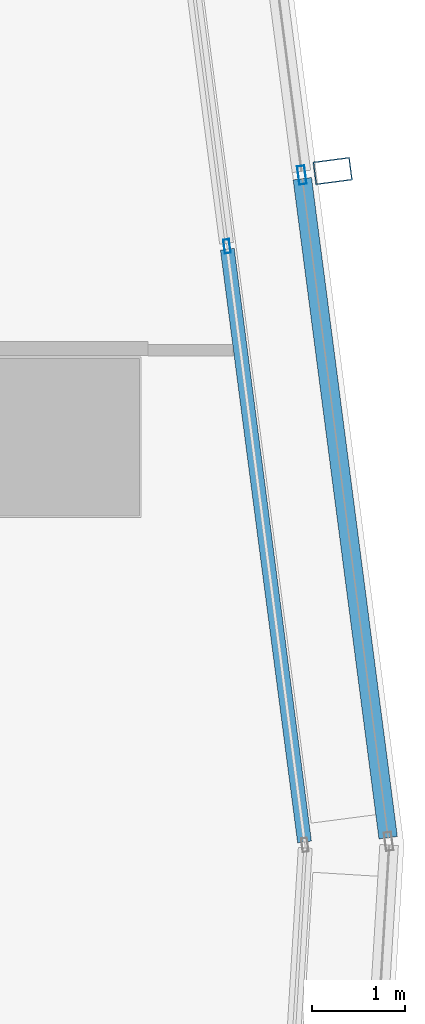
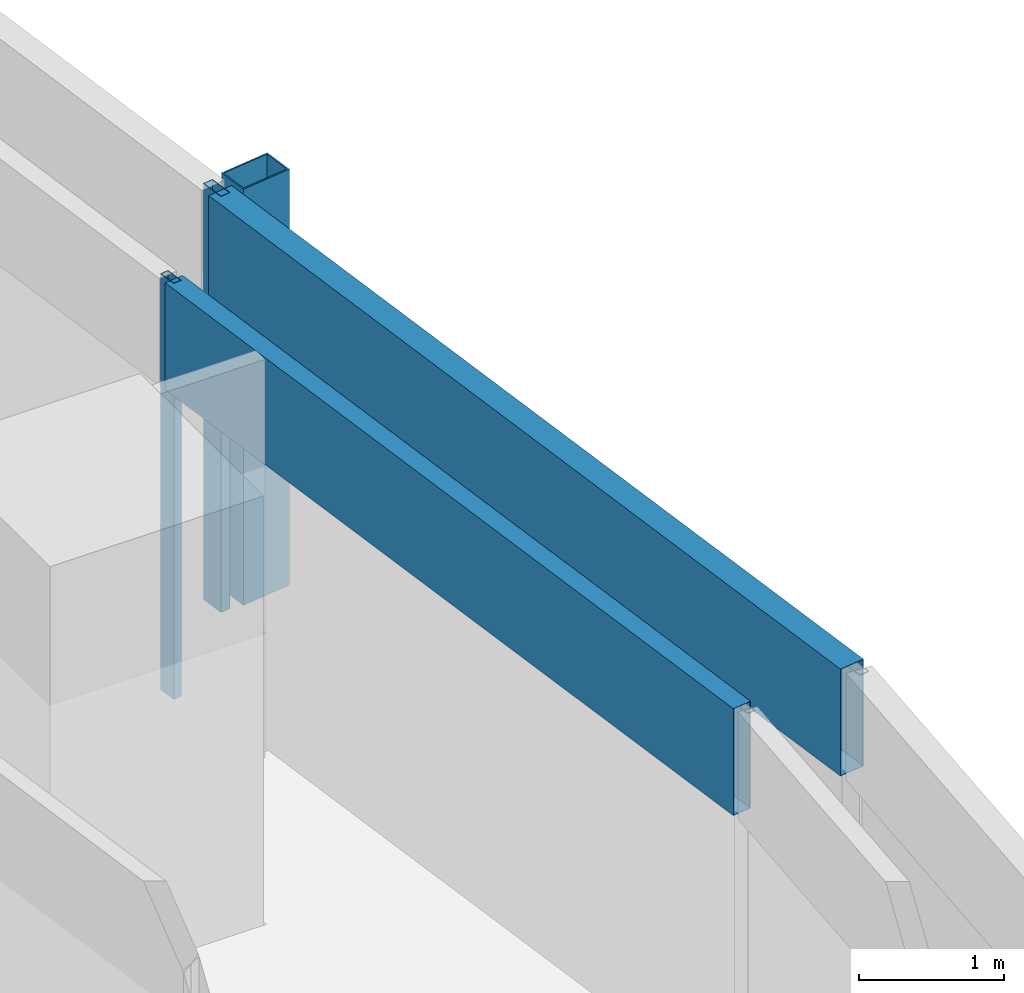
# One storey, part 26 of 40: 5 members, 2 elements without a shape of their own.
"""IFC4 building model written with IfcOpenShell, lengths in metres."""

from ifc_helpers import new_model, si_unit, direction, frame, origin, origin_2d, place, context, subcontext, project, spatial, hollow_rectangle, extrude, material, material_profile, profile_set, type_object, element, aggregate, save


model = new_model("IFC4")

# Units and contexts
model_context = context("Model", 3, precision=1e-05, world=origin(), true_north=direction((0.0, 1.0)))
body_context = subcontext(model_context, "Body", "Model", "MODEL_VIEW")
ifc_project = project(units=[si_unit("LENGTHUNIT", "METRE"), si_unit("AREAUNIT", "SQUARE_METRE"), si_unit("VOLUMEUNIT", "CUBIC_METRE"), si_unit("PLANEANGLEUNIT", "RADIAN"), si_unit("MASSUNIT", "GRAM", prefix="KILO")], contexts=[model_context])

# Site, building, storey
site_placement = place(None, origin())
site = spatial("IfcSite", under=ifc_project, at=site_placement, CompositionType="ELEMENT")
building_placement = place(site_placement, origin())
building = spatial("IfcBuilding", under=site, at=building_placement, Name="Rekha Terrace Tower", CompositionType="ELEMENT")
storey_placement = place(building_placement, frame((0.0, 0.0, 106.550048828125)))
storey = spatial("IfcBuildingStorey", under=building, at=storey_placement, Name="L26", CompositionType="ELEMENT", Elevation=106.550048828125)

# Curtain wall, member
ifc_material_1 = material(Name="Aluminium framing", Category="aluminium")
curtain_wall_type_1 = type_object("IfcCurtainWallType", Name="CW2 double skin outer glazing", PredefinedType="USERDEFINED", material=ifc_material_1)
curtain_wall_1_placement = place(storey_placement, origin())
curtain_wall_1 = element("IfcCurtainWall", 1, at=curtain_wall_1_placement, inside=storey, type_object=curtain_wall_type_1, Name="CW2 double skin outer glazing", ObjectType="DOUBLE SKIN OUTER GLAZING", PredefinedType="USERDEFINED")
ifc_material_2 = material(Name="Steel S355 with fluorocarbon finish", Category="steel")
ifc_material_profile_1 = material_profile(ifc_material_2, hollow_rectangle(XDim=0.25, YDim=0.39990234375, WallThickness=0.012451171875, at=origin_2d()), Name="RHS400x250x12.5")
ifc_profile_set_1 = profile_set([ifc_material_profile_1], Name="Steel S355 with fluorocarbon finish")
member_type_1 = type_object("IfcMemberType", Name="BL1 facade blade RHS 400 x 250", PredefinedType="USERDEFINED", material=ifc_profile_set_1)
member_1_placement = place(storey_placement, frame((70.131103515625, 53.2685546875, 0.0), z_axis=(0.0, 0.0, 1.0), x_axis=(-0.129119247945, 0.991629073702, 0.0)))
member_1 = element("IfcMember", 2, at=member_1_placement, type_object=member_type_1, Name="Facade blade", ObjectType="FACADE BLADE", PredefinedType="USERDEFINED", context=body_context, shape_type="SweptSolid", body=[
    extrude(hollow_rectangle(XDim=0.25, YDim=0.39990234375, WallThickness=0.012451171875, at=origin_2d()), origin(), (0.0, 0.0, 1.0), 3.5),
])

# Curtain wall, members
curtain_wall_type_2 = type_object("IfcCurtainWallType", Name="CW1 double skin inner glazing", PredefinedType="USERDEFINED", material=ifc_material_1)
curtain_wall_2_placement = place(storey_placement, origin())
curtain_wall_2 = element("IfcCurtainWall", 3, at=curtain_wall_2_placement, inside=storey, type_object=curtain_wall_type_2, Name="CW1 double skin inner glazing", ObjectType="DOUBLE SKIN INNER GLAZING", PredefinedType="USERDEFINED")
ifc_material_3 = material(Name="Aluminium mullion section", Category="aluminium")
ifc_material_profile_2 = material_profile(ifc_material_3, hollow_rectangle(XDim=0.06494140625, YDim=0.14990234375, WallThickness=0.00390625, at=origin_2d()), Name="AL RHS 65x150")
ifc_profile_set_2 = profile_set([ifc_material_profile_2], Name="Aluminium mullion section")
member_type_2 = type_object("IfcMemberType", Name="CW1 mullion RHS 65 x 150", PredefinedType="MULLION", material=ifc_profile_set_2)
member_2_placement = place(storey_placement, frame((68.9912109375, 52.45751953125, 0.0), z_axis=(0.0, 0.0, 1.0), x_axis=(-0.991629186237, -0.129118383675, 0.0)))
member_2 = element("IfcMember", 4, at=member_2_placement, type_object=member_type_2, Name="CW1 mullion 2", PredefinedType="MULLION", context=body_context, shape_type="SweptSolid", body=[
    extrude(hollow_rectangle(XDim=0.06494140625, YDim=0.14990234375, WallThickness=0.00390625, at=origin_2d()), origin(), (0.0, 0.0, 1.0), 3.5),
])
ifc_material_4 = material(Name="Insulated aluminium spandrel box", Category="aluminium")
ifc_material_profile_3 = material_profile(ifc_material_4, hollow_rectangle(XDim=0.14990234375, YDim=0.89990234375, WallThickness=0.0029296875, at=origin_2d()), Name="AL SPANDREL BOX 150x900")
ifc_profile_set_3 = profile_set([ifc_material_profile_3], Name="Insulated aluminium spandrel box")
member_type_3 = type_object("IfcMemberType", Name="CW1 spandrel transom 150 x 900", PredefinedType="USERDEFINED", material=ifc_profile_set_3)
member_3_placement = place(storey_placement, frame((69.827392578125, 46.0361328125, 3.050048828125), z_axis=(-0.129135072997, 0.991627013005, 0.0), x_axis=(-0.991627013005, -0.129135072997, 0.0)))
member_3 = element("IfcMember", 5, at=member_3_placement, type_object=member_type_3, Name="CW1 spandrel transom 1", ObjectType="TRANSOM", PredefinedType="USERDEFINED", context=body_context, shape_type="SweptSolid", body=[
    extrude(hollow_rectangle(XDim=0.14990234375, YDim=0.89990234375, WallThickness=0.0029296875, at=origin_2d()), origin(), (0.0, 0.0, 1.0), 6.443115234375),
])
aggregate(curtain_wall_2, [member_2, member_3])

# Member
ifc_material_profile_4 = material_profile(ifc_material_3, hollow_rectangle(XDim=0.080078125, YDim=0.199951171875, WallThickness=0.00390625, at=origin_2d()), Name="AL RHS 80x200")
ifc_profile_set_4 = profile_set([ifc_material_profile_4], Name="Aluminium mullion section")
member_type_4 = type_object("IfcMemberType", Name="CW2 mullion RHS 80 x 200", PredefinedType="MULLION", material=ifc_profile_set_4)
member_4_placement = place(storey_placement, frame((69.798828125, 53.225341796875, 0.0), z_axis=(0.0, 0.0, 1.0), x_axis=(-0.991629186244, -0.129118383623, 0.0)))
member_4 = element("IfcMember", 6, at=member_4_placement, type_object=member_type_4, Name="CW2 mullion 2", PredefinedType="MULLION", context=body_context, shape_type="SweptSolid", body=[
    extrude(hollow_rectangle(XDim=0.080078125, YDim=0.199951171875, WallThickness=0.00390625, at=origin_2d()), origin(), (0.0, 0.0, 1.0), 3.5),
])

ifc_material_profile_5 = material_profile(ifc_material_4, hollow_rectangle(XDim=0.199951171875, YDim=0.89990234375, WallThickness=0.0029296875, at=origin_2d()), Name="AL SPANDREL BOX 200x900")
ifc_profile_set_5 = profile_set([ifc_material_profile_5], Name="Insulated aluminium spandrel box")
member_type_5 = type_object("IfcMemberType", Name="CW2 spandrel transom 200 x 900", PredefinedType="USERDEFINED", material=ifc_profile_set_5)
member_5_placement = place(storey_placement, frame((70.72900390625, 46.081787109375, 3.050048828125), z_axis=(-0.129125015962, 0.991628322635, 0.0), x_axis=(-0.991628322635, -0.129125015962, 0.0)))
member_5 = element("IfcMember", 7, at=member_5_placement, type_object=member_type_5, Name="CW2 spandrel transom 1", ObjectType="TRANSOM", PredefinedType="USERDEFINED", context=body_context, shape_type="SweptSolid", body=[
    extrude(hollow_rectangle(XDim=0.199951171875, YDim=0.89990234375, WallThickness=0.0029296875, at=origin_2d()), origin(), (0.0, 0.0, 1.0), 7.1640625),
])

aggregate(curtain_wall_1, [member_4, member_5, member_1])

save(model, "model.ifc")
